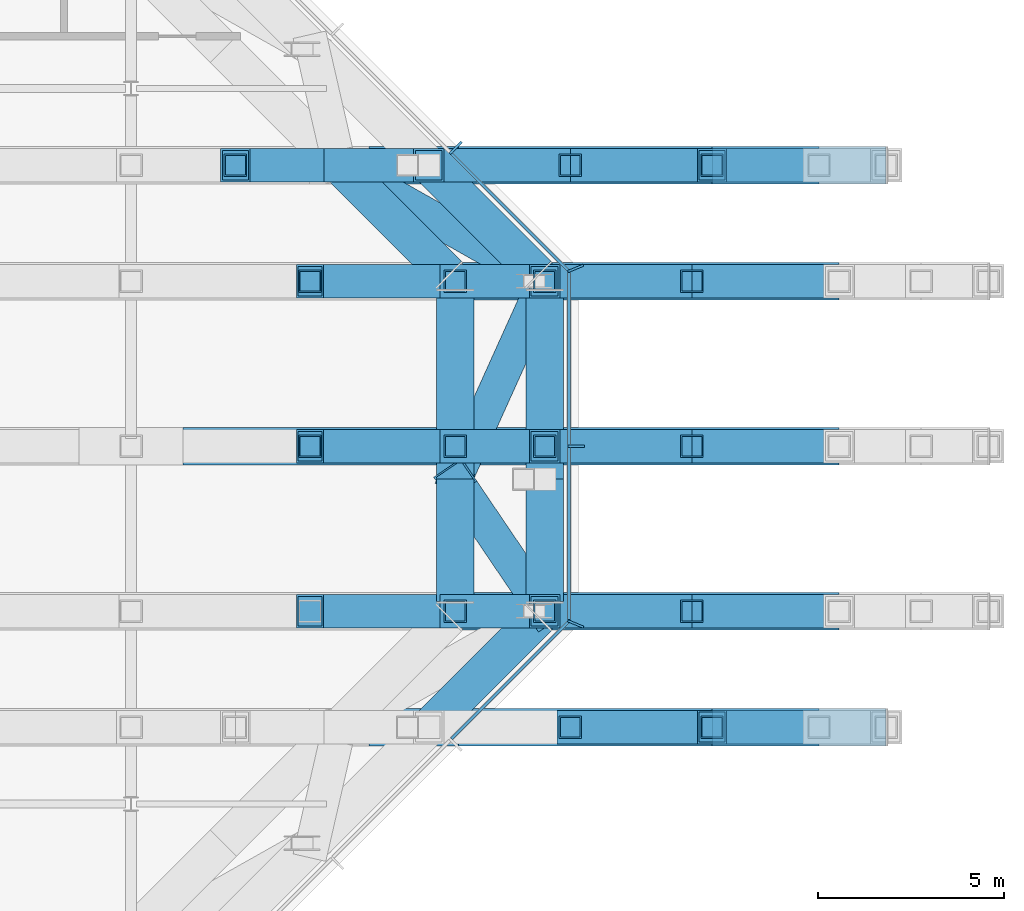
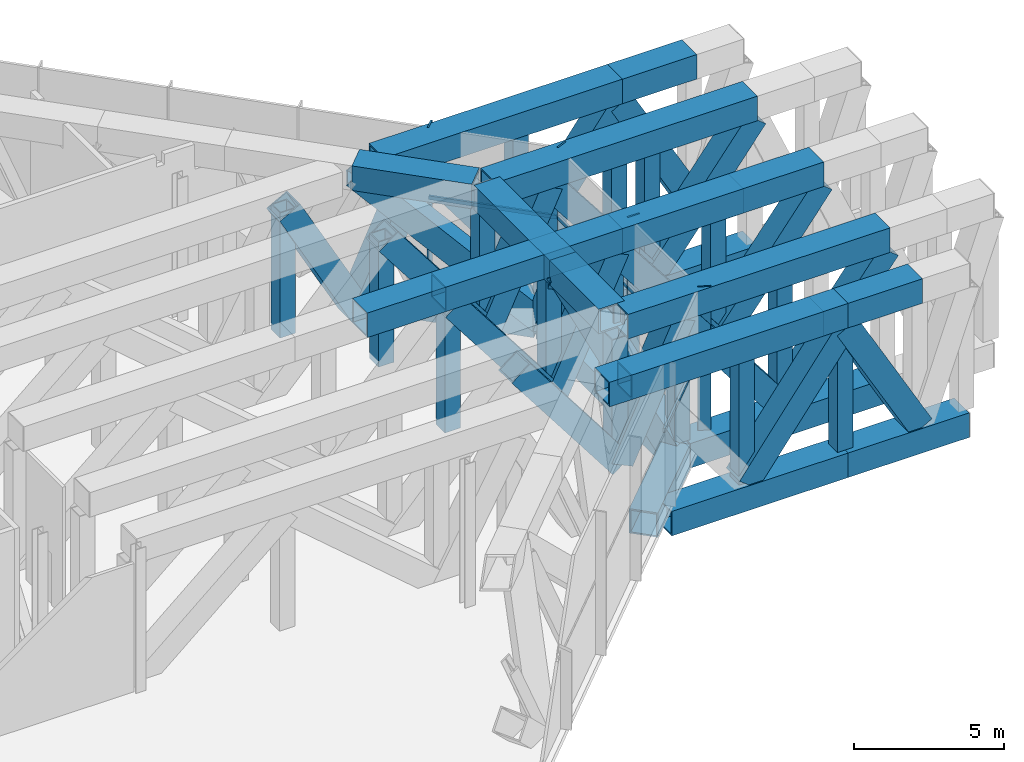
# One storey, part 7 of 18: 58 members, 10 beams, 3 elements without a shape of their own.
"""IFC4 building model written with IfcOpenShell, lengths in metres."""

from ifc_helpers import new_model, si_unit, direction, frame, origin, origin_2d, place, context, subcontext, project, spatial, rectangle, hollow_rectangle, extrude, material, material_profile, profile_set, type_object, element, aggregate, save


model = new_model("IFC4")

# Units and contexts
model_context = context("Model", 3, precision=1e-05, world=origin(), true_north=direction((0.0, 1.0)))
body_context = subcontext(model_context, "Body", "Model", "MODEL_VIEW")
ifc_project = project(units=[si_unit("LENGTHUNIT", "METRE"), si_unit("AREAUNIT", "SQUARE_METRE"), si_unit("VOLUMEUNIT", "CUBIC_METRE"), si_unit("PLANEANGLEUNIT", "RADIAN"), si_unit("MASSUNIT", "GRAM", prefix="KILO")], contexts=[model_context])

# Site, building, storey
site_placement = place(None, origin())
site = spatial("IfcSite", under=ifc_project, at=site_placement, CompositionType="ELEMENT")
building_placement = place(site_placement, origin())
building = spatial("IfcBuilding", under=site, at=building_placement, Name="Cairn Pilgrim Tower", CompositionType="ELEMENT")
storey_placement = place(building_placement, frame((0.0, 0.0, 261.0)))
storey = spatial("IfcBuildingStorey", under=building, at=storey_placement, Name="L67", CompositionType="ELEMENT", Elevation=261.0)

# Members
ifc_material_1 = material(Name="Structural steel S460M", Category="steel")
ifc_material_profile_1 = material_profile(ifc_material_1, hollow_rectangle(XDim=1.0, YDim=1.0, WallThickness=0.06005859375, at=origin_2d()), Name="BOX 1000x1000x60")
ifc_profile_set_1 = profile_set([ifc_material_profile_1], Name="Structural steel S460M")
member_type_1 = type_object("IfcMemberType", Name="BOX 1000x1000x60 CANTILEVER CHORD", PredefinedType="CHORD", material=ifc_profile_set_1)
member_1_placement = place(storey_placement, frame((39.98779296875, -7.539306640625, -0.75), z_axis=(1.0, 0.0, 0.0), x_axis=(0.0, 1.0, 0.0)))
element("IfcMember", 1, at=member_1_placement, inside=storey, type_object=member_type_1, Name="SPS75-BC2", PredefinedType="CHORD", context=body_context, shape_type="SweptSolid", body=[
    extrude(hollow_rectangle(XDim=1.0, YDim=1.0, WallThickness=0.06005859375, at=origin_2d()), origin(), (0.0, 0.0, 1.0), 6.800048828125),
])
member_2_placement = place(storey_placement, frame((46.787841796875, -7.539306640625, -0.75), z_axis=(1.0, 0.0, 0.0), x_axis=(0.0, 1.0, 0.0)))
element("IfcMember", 2, at=member_2_placement, inside=storey, type_object=member_type_1, Name="SPS75-BC3", PredefinedType="CHORD", context=body_context, shape_type="SweptSolid", body=[
    extrude(hollow_rectangle(XDim=1.0, YDim=1.0, WallThickness=0.06005859375, at=origin_2d()), origin(), (0.0, 0.0, 1.0), 4.6728515625),
])
member_3_placement = place(storey_placement, frame((37.587890625, -7.539306640625, 5.35009765625), z_axis=(1.0, 0.0, 0.0), x_axis=(0.0, 1.0, 0.0)))
element("IfcMember", 3, at=member_3_placement, inside=storey, type_object=member_type_1, Name="SPS75-TC2", PredefinedType="CHORD", context=body_context, shape_type="SweptSolid", body=[
    extrude(hollow_rectangle(XDim=1.0, YDim=1.0, WallThickness=0.06005859375, at=origin_2d()), origin(), (0.0, 0.0, 1.0), 9.199951171875),
])
member_4_placement = place(storey_placement, frame((46.787841796875, -7.539306640625, 5.35009765625), z_axis=(1.0, 0.0, 0.0), x_axis=(0.0, 1.0, 0.0)))
element("IfcMember", 4, at=member_4_placement, inside=storey, type_object=member_type_1, Name="SPS75-TC3", PredefinedType="CHORD", context=body_context, shape_type="SweptSolid", body=[
    extrude(hollow_rectangle(XDim=1.0, YDim=1.0, WallThickness=0.06005859375, at=origin_2d()), origin(), (0.0, 0.0, 1.0), 2.872802734375),
])
member_5_placement = place(storey_placement, frame((42.5, -4.42724609375, -0.75), z_axis=(1.0, 0.0, 0.0), x_axis=(0.0, 1.0, 0.0)))
element("IfcMember", 5, at=member_5_placement, inside=storey, type_object=member_type_1, Name="SPS-BC2", PredefinedType="CHORD", context=body_context, shape_type="SweptSolid", body=[
    extrude(hollow_rectangle(XDim=1.0, YDim=1.0, WallThickness=0.06005859375, at=origin_2d()), origin(), (0.0, 0.0, 1.0), 7.699951171875),
])
member_6_placement = place(storey_placement, frame((40.10009765625, -4.42724609375, 5.35009765625), z_axis=(1.0, 0.0, 0.0), x_axis=(0.0, 1.0, 0.0)))
element("IfcMember", 6, at=member_6_placement, inside=storey, type_object=member_type_1, Name="SPS-TC2", PredefinedType="CHORD", context=body_context, shape_type="SweptSolid", body=[
    extrude(hollow_rectangle(XDim=1.0, YDim=1.0, WallThickness=0.06005859375, at=origin_2d()), origin(), (0.0, 0.0, 1.0), 10.099853515625),
])
member_7_placement = place(storey_placement, frame((42.800048828125, 0.0, -0.75), z_axis=(1.0, 0.0, 0.0), x_axis=(0.0, 1.0, 0.0)))
element("IfcMember", 7, at=member_7_placement, inside=storey, type_object=member_type_1, Name="SPC-BC2", PredefinedType="CHORD", context=body_context, shape_type="SweptSolid", body=[
    extrude(hollow_rectangle(XDim=1.0, YDim=1.0, WallThickness=0.06005859375, at=origin_2d()), origin(), (0.0, 0.0, 1.0), 7.39990234375),
])
member_8_placement = place(storey_placement, frame((32.60009765625, 0.0, 5.35009765625), z_axis=(1.0, 0.0, 0.0), x_axis=(0.0, 1.0, 0.0)))
element("IfcMember", 8, at=member_8_placement, inside=storey, type_object=member_type_1, Name="SPC-TC3", PredefinedType="CHORD", context=body_context, shape_type="SweptSolid", body=[
    extrude(hollow_rectangle(XDim=1.0, YDim=1.0, WallThickness=0.06005859375, at=origin_2d()), origin(), (0.0, 0.0, 1.0), 6.7998046875),
])
member_9_placement = place(storey_placement, frame((40.39990234375, 0.0, 5.35009765625), z_axis=(1.0, 0.0, 0.0), x_axis=(0.0, 1.0, 0.0)))
element("IfcMember", 9, at=member_9_placement, inside=storey, type_object=member_type_1, Name="SPC-TC4", PredefinedType="CHORD", context=body_context, shape_type="SweptSolid", body=[
    extrude(hollow_rectangle(XDim=1.0, YDim=1.0, WallThickness=0.06005859375, at=origin_2d()), origin(), (0.0, 0.0, 1.0), 9.800048828125),
])
member_10_placement = place(storey_placement, frame((42.5, 4.42724609375, -0.75), z_axis=(1.0, 0.0, 0.0), x_axis=(0.0, 1.0, 0.0)))
element("IfcMember", 10, at=member_10_placement, inside=storey, type_object=member_type_1, Name="SPN-BC2", PredefinedType="CHORD", context=body_context, shape_type="SweptSolid", body=[
    extrude(hollow_rectangle(XDim=1.0, YDim=1.0, WallThickness=0.06005859375, at=origin_2d()), origin(), (0.0, 0.0, 1.0), 7.699951171875),
])
member_11_placement = place(storey_placement, frame((40.10009765625, 4.42724609375, 5.35009765625), z_axis=(1.0, 0.0, 0.0), x_axis=(0.0, 1.0, 0.0)))
element("IfcMember", 11, at=member_11_placement, inside=storey, type_object=member_type_1, Name="SPN-TC2", PredefinedType="CHORD", context=body_context, shape_type="SweptSolid", body=[
    extrude(hollow_rectangle(XDim=1.0, YDim=1.0, WallThickness=0.06005859375, at=origin_2d()), origin(), (0.0, 0.0, 1.0), 10.099853515625),
])
member_12_placement = place(storey_placement, frame((39.98779296875, 7.539306640625, -0.75), z_axis=(1.0, 0.0, 0.0), x_axis=(0.0, 1.0, 0.0)))
element("IfcMember", 12, at=member_12_placement, inside=storey, type_object=member_type_1, Name="SPN75-BC2", PredefinedType="CHORD", context=body_context, shape_type="SweptSolid", body=[
    extrude(hollow_rectangle(XDim=1.0, YDim=1.0, WallThickness=0.06005859375, at=origin_2d()), origin(), (0.0, 0.0, 1.0), 6.800048828125),
])
member_13_placement = place(storey_placement, frame((46.787841796875, 7.539306640625, -0.75), z_axis=(1.0, 0.0, 0.0), x_axis=(0.0, 1.0, 0.0)))
element("IfcMember", 13, at=member_13_placement, inside=storey, type_object=member_type_1, Name="SPN75-BC3", PredefinedType="CHORD", context=body_context, shape_type="SweptSolid", body=[
    extrude(hollow_rectangle(XDim=1.0, YDim=1.0, WallThickness=0.06005859375, at=origin_2d()), origin(), (0.0, 0.0, 1.0), 4.6728515625),
])
member_14_placement = place(storey_placement, frame((37.587890625, 7.539306640625, 5.35009765625), z_axis=(1.0, 0.0, 0.0), x_axis=(0.0, 1.0, 0.0)))
element("IfcMember", 14, at=member_14_placement, inside=storey, type_object=member_type_1, Name="SPN75-TC2", PredefinedType="CHORD", context=body_context, shape_type="SweptSolid", body=[
    extrude(hollow_rectangle(XDim=1.0, YDim=1.0, WallThickness=0.06005859375, at=origin_2d()), origin(), (0.0, 0.0, 1.0), 9.199951171875),
])
member_15_placement = place(storey_placement, frame((46.787841796875, 7.539306640625, 5.35009765625), z_axis=(1.0, 0.0, 0.0), x_axis=(0.0, 1.0, 0.0)))
element("IfcMember", 15, at=member_15_placement, inside=storey, type_object=member_type_1, Name="SPN75-TC3", PredefinedType="CHORD", context=body_context, shape_type="SweptSolid", body=[
    extrude(hollow_rectangle(XDim=1.0, YDim=1.0, WallThickness=0.06005859375, at=origin_2d()), origin(), (0.0, 0.0, 1.0), 2.872802734375),
])

# Beams
ifc_material_profile_2 = material_profile(ifc_material_1, hollow_rectangle(XDim=1.0, YDim=1.0, WallThickness=0.06005859375, at=origin_2d()), Name="BOX 1000x1000x60")
ifc_profile_set_2 = profile_set([ifc_material_profile_2], Name="Structural steel S460M")
beam_type_1 = type_object("IfcBeamType", Name="BOX 1000x1000x60 CHORD", PredefinedType="USERDEFINED", material=ifc_profile_set_2)
beam_1_placement = place(storey_placement, frame((39.18798828125, -7.539306640625, -0.75), z_axis=(0.707077323927, 0.707136237219, 0.0), x_axis=(-0.707136237219, 0.707077323927, 0.0)))
element("IfcBeam", 16, at=beam_1_placement, inside=storey, type_object=beam_type_1, Name="BT67-SE-BC6", ObjectType="CHORD", PredefinedType="USERDEFINED", context=body_context, shape_type="SweptSolid", body=[
    extrude(hollow_rectangle(XDim=1.0, YDim=1.0, WallThickness=0.06005859375, at=origin_2d()), origin(), (0.0, 0.0, 1.0), 4.14404296875),
])
for number, where, z_axis, x_axis, name in (
    (17, (42.300048828125, -4.170166015625, -0.75), (0.0, 1.0, 0.0), (-1.0, 0.0, 0.0), "BT67-E-BC1"),
    (18, (39.89990234375, -4.170166015625, 5.35009765625), (0.0, 1.0, 0.0), (-1.0, 0.0, 0.0), "BT67-E-TC1"),
):
    element("IfcBeam", number, at=place(storey_placement, frame(where, z_axis=z_axis, x_axis=x_axis)), inside=storey, type_object=beam_type_1, Name=name, ObjectType="CHORD", PredefinedType="USERDEFINED", context=body_context, shape_type="SweptSolid", body=[
        extrude(hollow_rectangle(XDim=1.0, YDim=1.0, WallThickness=0.06005859375, at=origin_2d()), origin(), (0.0, 0.0, 1.0), 3.28466796875),
    ])
for number, where, z_axis, x_axis, name in (
    (19, (42.300048828125, -0.885498046875, -0.75), (0.0, 1.0, 0.0), (-1.0, 0.0, 0.0), "BT67-E-BC2"),
    (20, (39.89990234375, -0.885498046875, 5.35009765625), (0.0, 1.0, 0.0), (-1.0, 0.0, 0.0), "BT67-E-TC2"),
):
    element("IfcBeam", number, at=place(storey_placement, frame(where, z_axis=z_axis, x_axis=x_axis)), inside=storey, type_object=beam_type_1, Name=name, ObjectType="CHORD", PredefinedType="USERDEFINED", context=body_context, shape_type="SweptSolid", body=[
        extrude(hollow_rectangle(XDim=1.0, YDim=1.0, WallThickness=0.06005859375, at=origin_2d()), origin(), (0.0, 0.0, 1.0), 5.0556640625),
    ])
beam_2_placement = place(storey_placement, frame((42.1181640625, 4.60888671875, -0.75), z_axis=(-0.707077323927, 0.707136237219, 0.0), x_axis=(-0.707136237219, -0.707077323927, 0.0)))
element("IfcBeam", 21, at=beam_2_placement, inside=storey, type_object=beam_type_1, Name="BT67-NE-BC1", ObjectType="CHORD", PredefinedType="USERDEFINED", context=body_context, shape_type="SweptSolid", body=[
    extrude(hollow_rectangle(XDim=1.0, YDim=1.0, WallThickness=0.06005859375, at=origin_2d()), origin(), (0.0, 0.0, 1.0), 4.14404296875),
])
beam_3_placement = place(storey_placement, frame((39.71826171875, 4.60888671875, 5.35009765625), z_axis=(-0.707106781187, 0.707106781187, 0.0), x_axis=(-0.707106781187, -0.707106781187, 0.0)))
element("IfcBeam", 22, at=beam_3_placement, inside=storey, type_object=beam_type_1, Name="BT67-NE-TC1", ObjectType="CHORD", PredefinedType="USERDEFINED", context=body_context, shape_type="SweptSolid", body=[
    extrude(hollow_rectangle(XDim=1.0, YDim=1.0, WallThickness=0.06005859375, at=origin_2d()), origin(), (0.0, 0.0, 1.0), 4.144287109375),
])

# Members
ifc_material_profile_3 = material_profile(ifc_material_1, hollow_rectangle(XDim=0.60009765625, YDim=0.60009765625, WallThickness=0.034912109375, at=origin_2d()), Name="BOX 600x600x35")
ifc_profile_set_3 = profile_set([ifc_material_profile_3], Name="Structural steel S460M")
member_type_2 = type_object("IfcMemberType", Name="BOX 600x600x35 CANTILEVER POST", PredefinedType="POST", material=ifc_profile_set_3)
for number, where, z_axis, x_axis, name in (
    (23, (42.988037109375, -7.539306640625, -0.25), (0.0, 0.0, 1.0), (1.0, 0.0, 0.0), "SPS75-P7"),
    (24, (46.7880859375, -7.539306640625, -0.25), (0.0, 0.0, 1.0), (1.0, 0.0, 0.0), "SPS75-P8"),
    (25, (39.89990234375, -4.42724609375, -0.25), (0.0, 0.0, 1.0), (1.0, 0.0, 0.0), "SPS-P5"),
    (26, (42.300048828125, -4.42724609375, -0.25), (0.0, 0.0, 1.0), (1.0, 0.0, 0.0), "SPS-P6"),
    (27, (46.25, -4.42724609375, -0.25), (0.0, 0.0, 1.0), (1.0, 0.0, 0.0), "SPS-P7"),
    (28, (36.0, 0.0, -0.25), (0.0, 0.0, 1.0), (1.0, 0.0, 0.0), "SPC-P4"),
    (29, (39.89990234375, 0.0, -0.25), (0.0, 0.0, 1.0), (1.0, 0.0, 0.0), "SPC-P5"),
    (30, (42.300048828125, 0.0, -0.25), (0.0, 0.0, 1.0), (1.0, 0.0, 0.0), "SPC-P6"),
    (31, (46.25, 0.0, -0.25), (0.0, 0.0, 1.0), (1.0, 0.0, 0.0), "SPC-P7"),
    (32, (36.0, 4.42724609375, -0.25), (0.0, 0.0, 1.0), (1.0, 0.0, 0.0), "SPN-P4"),
    (33, (39.89990234375, 4.42724609375, -0.25), (0.0, 0.0, 1.0), (1.0, 0.0, 0.0), "SPN-P5"),
    (34, (42.300048828125, 4.42724609375, -0.25), (0.0, 0.0, 1.0), (1.0, 0.0, 0.0), "SPN-P6"),
    (35, (46.25, 4.42724609375, -0.25), (0.0, 0.0, 1.0), (1.0, 0.0, 0.0), "SPN-P7"),
    (36, (34.0, 7.539306640625, -0.25), (0.0, 0.0, 1.0), (1.0, 0.0, 0.0), "SPN75-P4"),
    (37, (42.988037109375, 7.539306640625, -0.25), (0.0, 0.0, 1.0), (1.0, 0.0, 0.0), "SPN75-P7"),
    (38, (46.7880859375, 7.539306640625, -0.25), (0.0, 0.0, 1.0), (1.0, 0.0, 0.0), "SPN75-P8"),
):
    element("IfcMember", number, at=place(storey_placement, frame(where, z_axis=z_axis, x_axis=x_axis)), inside=storey, type_object=member_type_2, Name=name, PredefinedType="POST", context=body_context, shape_type="SweptSolid", body=[
        extrude(hollow_rectangle(XDim=0.60009765625, YDim=0.60009765625, WallThickness=0.034912109375, at=origin_2d()), origin(), (0.0, 0.0, 1.0), 5.10009765625),
    ])
ifc_material_profile_4 = material_profile(ifc_material_1, hollow_rectangle(XDim=0.89990234375, YDim=0.89990234375, WallThickness=0.050048828125, at=origin_2d()), Name="BOX 900x900x50")
ifc_profile_set_4 = profile_set([ifc_material_profile_4], Name="Structural steel S460M")
member_type_3 = type_object("IfcMemberType", Name="BOX 900x900x50 CANTILEVER DIAGONAL", PredefinedType="BRACE", material=ifc_profile_set_4)
member_16_placement = place(storey_placement, frame((42.988037109375, -7.539306640625, -0.25), z_axis=(0.597478902646, 0.0, 0.801884630663), x_axis=(0.0, 1.0, 0.0)))
element("IfcMember", 39, at=member_16_placement, inside=storey, type_object=member_type_3, Name="SPS75-D7", PredefinedType="BRACE", context=body_context, shape_type="SweptSolid", body=[
    extrude(hollow_rectangle(XDim=0.89990234375, YDim=0.89990234375, WallThickness=0.050048828125, at=origin_2d()), origin(), (0.0, 0.0, 1.0), 6.360107421875),
])
member_17_placement = place(storey_placement, frame((46.7880859375, -7.539306640625, 4.85009765625), z_axis=(0.490779967683, 0.0, -0.871283549323), x_axis=(0.0, 1.0, 0.0)))
element("IfcMember", 40, at=member_17_placement, inside=storey, type_object=member_type_3, Name="SPS75-D8", PredefinedType="BRACE", context=body_context, shape_type="SweptSolid", body=[
    extrude(hollow_rectangle(XDim=0.89990234375, YDim=0.89990234375, WallThickness=0.050048828125, at=origin_2d()), origin(), (0.0, 0.0, 1.0), 5.853515625),
])
member_18_placement = place(storey_placement, frame((36.0, -4.42724609375, 4.85009765625), z_axis=(0.607433169925, 0.0, -0.794370785009), x_axis=(0.0, 1.0, 0.0)))
element("IfcMember", 41, at=member_18_placement, inside=storey, type_object=member_type_3, Name="SPS-D4", PredefinedType="BRACE", context=body_context, shape_type="SweptSolid", body=[
    extrude(hollow_rectangle(XDim=0.89990234375, YDim=0.89990234375, WallThickness=0.050048828125, at=origin_2d()), origin(), (0.0, 0.0, 1.0), 6.42041015625),
])
member_19_placement = place(storey_placement, frame((39.89990234375, -4.42724609375, -0.25), z_axis=(0.425811637593, 0.0, 0.904811830874), x_axis=(0.0, 1.0, 0.0)))
element("IfcMember", 42, at=member_19_placement, inside=storey, type_object=member_type_3, Name="SPS-D5", PredefinedType="BRACE", context=body_context, shape_type="SweptSolid", body=[
    extrude(hollow_rectangle(XDim=0.89990234375, YDim=0.89990234375, WallThickness=0.050048828125, at=origin_2d()), origin(), (0.0, 0.0, 1.0), 5.63671875),
])
for number, where, z_axis, x_axis, name in (
    (43, (42.300048828125, -4.42724609375, 4.85009765625), (0.612317452324, 0.0, -0.790612001919), (0.0, 1.0, 0.0), "SPS-D6"),
    (44, (46.25, -4.42724609375, -0.25), (0.612317452324, 0.0, 0.790612001919), (0.0, 1.0, 0.0), "SPS-D7"),
):
    element("IfcMember", number, at=place(storey_placement, frame(where, z_axis=z_axis, x_axis=x_axis)), inside=storey, type_object=member_type_3, Name=name, PredefinedType="BRACE", context=body_context, shape_type="SweptSolid", body=[
        extrude(hollow_rectangle(XDim=0.89990234375, YDim=0.89990234375, WallThickness=0.050048828125, at=origin_2d()), origin(), (0.0, 0.0, 1.0), 6.450927734375),
    ])
member_20_placement = place(storey_placement, frame((36.0, 0.0, 4.85009765625), z_axis=(0.607433169925, 0.0, -0.794370785009), x_axis=(0.0, 1.0, 0.0)))
element("IfcMember", 45, at=member_20_placement, inside=storey, type_object=member_type_3, Name="SPC-D4", PredefinedType="BRACE", context=body_context, shape_type="SweptSolid", body=[
    extrude(hollow_rectangle(XDim=0.89990234375, YDim=0.89990234375, WallThickness=0.050048828125, at=origin_2d()), origin(), (0.0, 0.0, 1.0), 6.42041015625),
])
member_21_placement = place(storey_placement, frame((39.89990234375, 0.0, -0.25), z_axis=(0.425811637593, 0.0, 0.904811830874), x_axis=(0.0, 1.0, 0.0)))
element("IfcMember", 46, at=member_21_placement, inside=storey, type_object=member_type_3, Name="SPC-D5", PredefinedType="BRACE", context=body_context, shape_type="SweptSolid", body=[
    extrude(hollow_rectangle(XDim=0.89990234375, YDim=0.89990234375, WallThickness=0.050048828125, at=origin_2d()), origin(), (0.0, 0.0, 1.0), 5.63671875),
])
for number, where, z_axis, x_axis, name in (
    (47, (42.300048828125, 0.0, 4.85009765625), (0.612317452324, 0.0, -0.790612001919), (0.0, 1.0, 0.0), "SPC-D6"),
    (48, (46.25, 0.0, -0.25), (0.612317452324, 0.0, 0.790612001919), (0.0, 1.0, 0.0), "SPC-D7"),
):
    element("IfcMember", number, at=place(storey_placement, frame(where, z_axis=z_axis, x_axis=x_axis)), inside=storey, type_object=member_type_3, Name=name, PredefinedType="BRACE", context=body_context, shape_type="SweptSolid", body=[
        extrude(hollow_rectangle(XDim=0.89990234375, YDim=0.89990234375, WallThickness=0.050048828125, at=origin_2d()), origin(), (0.0, 0.0, 1.0), 6.450927734375),
    ])
member_22_placement = place(storey_placement, frame((36.0, 4.42724609375, 4.85009765625), z_axis=(0.607433169925, 0.0, -0.794370785009), x_axis=(0.0, 1.0, 0.0)))
element("IfcMember", 49, at=member_22_placement, inside=storey, type_object=member_type_3, Name="SPN-D4", PredefinedType="BRACE", context=body_context, shape_type="SweptSolid", body=[
    extrude(hollow_rectangle(XDim=0.89990234375, YDim=0.89990234375, WallThickness=0.050048828125, at=origin_2d()), origin(), (0.0, 0.0, 1.0), 6.42041015625),
])
member_23_placement = place(storey_placement, frame((39.89990234375, 4.42724609375, -0.25), z_axis=(0.425811637593, 0.0, 0.904811830874), x_axis=(0.0, 1.0, 0.0)))
element("IfcMember", 50, at=member_23_placement, inside=storey, type_object=member_type_3, Name="SPN-D5", PredefinedType="BRACE", context=body_context, shape_type="SweptSolid", body=[
    extrude(hollow_rectangle(XDim=0.89990234375, YDim=0.89990234375, WallThickness=0.050048828125, at=origin_2d()), origin(), (0.0, 0.0, 1.0), 5.63671875),
])
for number, where, z_axis, x_axis, name in (
    (51, (42.300048828125, 4.42724609375, 4.85009765625), (0.612317452324, 0.0, -0.790612001919), (0.0, 1.0, 0.0), "SPN-D6"),
    (52, (46.25, 4.42724609375, -0.25), (0.612317452324, 0.0, 0.790612001919), (0.0, 1.0, 0.0), "SPN-D7"),
):
    element("IfcMember", number, at=place(storey_placement, frame(where, z_axis=z_axis, x_axis=x_axis)), inside=storey, type_object=member_type_3, Name=name, PredefinedType="BRACE", context=body_context, shape_type="SweptSolid", body=[
        extrude(hollow_rectangle(XDim=0.89990234375, YDim=0.89990234375, WallThickness=0.050048828125, at=origin_2d()), origin(), (0.0, 0.0, 1.0), 6.450927734375),
    ])
member_24_placement = place(storey_placement, frame((34.0, 7.539306640625, 4.85009765625), z_axis=(0.47964359085, 0.0, -0.877463404226), x_axis=(0.0, 1.0, 0.0)))
element("IfcMember", 53, at=member_24_placement, inside=storey, type_object=member_type_3, Name="SPN75-D4", PredefinedType="BRACE", context=body_context, shape_type="SweptSolid", body=[
    extrude(hollow_rectangle(XDim=0.89990234375, YDim=0.89990234375, WallThickness=0.050048828125, at=origin_2d()), origin(), (0.0, 0.0, 1.0), 5.812255859375),
])
member_25_placement = place(storey_placement, frame((36.787841796875, 7.539306640625, -0.25), z_axis=(0.425811637593, 0.0, 0.904811830874), x_axis=(0.0, 1.0, 0.0)))
element("IfcMember", 54, at=member_25_placement, inside=storey, type_object=member_type_3, Name="SPN75-D5", PredefinedType="BRACE", context=body_context, shape_type="SweptSolid", body=[
    extrude(hollow_rectangle(XDim=0.89990234375, YDim=0.89990234375, WallThickness=0.050048828125, at=origin_2d()), origin(), (0.0, 0.0, 1.0), 5.63671875),
])
for number, where, z_axis, x_axis, name in (
    (55, (39.18798828125, 7.539306640625, 4.85009765625), (0.597478902646, 0.0, -0.801884630663), (0.0, 1.0, 0.0), "SPN75-D6"),
    (56, (42.988037109375, 7.539306640625, -0.25), (0.597478902646, 0.0, 0.801884630663), (0.0, 1.0, 0.0), "SPN75-D7"),
):
    element("IfcMember", number, at=place(storey_placement, frame(where, z_axis=z_axis, x_axis=x_axis)), inside=storey, type_object=member_type_3, Name=name, PredefinedType="BRACE", context=body_context, shape_type="SweptSolid", body=[
        extrude(hollow_rectangle(XDim=0.89990234375, YDim=0.89990234375, WallThickness=0.050048828125, at=origin_2d()), origin(), (0.0, 0.0, 1.0), 6.360107421875),
    ])
member_26_placement = place(storey_placement, frame((46.7880859375, 7.539306640625, 4.85009765625), z_axis=(0.490779967683, 0.0, -0.871283549323), x_axis=(0.0, 1.0, 0.0)))
element("IfcMember", 57, at=member_26_placement, inside=storey, type_object=member_type_3, Name="SPN75-D8", PredefinedType="BRACE", context=body_context, shape_type="SweptSolid", body=[
    extrude(hollow_rectangle(XDim=0.89990234375, YDim=0.89990234375, WallThickness=0.050048828125, at=origin_2d()), origin(), (0.0, 0.0, 1.0), 5.853515625),
])

# Beams
ifc_material_profile_5 = material_profile(ifc_material_1, hollow_rectangle(XDim=0.89990234375, YDim=0.89990234375, WallThickness=0.050048828125, at=origin_2d()), Name="BOX 900x900x50")
ifc_profile_set_5 = profile_set([ifc_material_profile_5], Name="Structural steel S460M")
beam_type_2 = type_object("IfcBeamType", Name="BOX 900x900x50 DIAGONAL", PredefinedType="USERDEFINED", material=ifc_profile_set_5)
beam_4_placement = place(storey_placement, frame((42.300048828125, -4.42724609375, -0.75), z_axis=(-0.322128505903, 0.475345156661, 0.818706423405), x_axis=(-0.827821238485, -0.56099197598, 0.0)))
element("IfcBeam", 58, at=beam_4_placement, inside=storey, type_object=beam_type_2, Name="BT67-E-D1", ObjectType="DIAGONAL", PredefinedType="USERDEFINED", context=body_context, shape_type="SweptSolid", body=[
    extrude(hollow_rectangle(XDim=0.89990234375, YDim=0.89990234375, WallThickness=0.050048828125, at=origin_2d()), origin(), (0.0, 0.0, 1.0), 7.450927734375),
])
beam_5_placement = place(storey_placement, frame((39.89990234375, -0.885498046875, 5.35009765625), z_axis=(0.284450341262, 0.629633188506, -0.722945399936), x_axis=(-0.911316370594, 0.411706779988, 0.0)))
element("IfcBeam", 59, at=beam_5_placement, inside=storey, type_object=beam_type_2, Name="BT67-E-D2", ObjectType="DIAGONAL", PredefinedType="USERDEFINED", context=body_context, shape_type="SweptSolid", body=[
    extrude(hollow_rectangle(XDim=0.89990234375, YDim=0.89990234375, WallThickness=0.050048828125, at=origin_2d()), origin(), (0.0, 0.0, 1.0), 8.437744140625),
])
beam_6_placement = place(storey_placement, frame((42.300048828125, 4.42724609375, -0.75), z_axis=(-0.627033076163, 0.354007911323, 0.693907717292), x_axis=(-0.491633993745, -0.870801938557, 0.0)))
element("IfcBeam", 60, at=beam_6_placement, inside=storey, type_object=beam_type_2, Name="BT67-NE-D1", ObjectType="DIAGONAL", PredefinedType="USERDEFINED", context=body_context, shape_type="SweptSolid", body=[
    extrude(hollow_rectangle(XDim=0.89990234375, YDim=0.89990234375, WallThickness=0.050048828125, at=origin_2d()), origin(), (0.0, 0.0, 1.0), 8.791015625),
])

# Curtain wall, members
ifc_material_2 = material(Name="Aluminium alloy 6063-T6 bronze anodised with Bronze tinted laminated low-E glass 8+16+8.8", Category="aluminium")
curtain_wall_type = type_object("IfcCurtainWallType", Name="PLANT LOUVRE CURTAIN WALL", PredefinedType="NOTDEFINED", material=ifc_material_2)
curtain_wall_1_placement = place(storey_placement, origin())
curtain_wall_1 = element("IfcCurtainWall", 61, at=curtain_wall_1_placement, inside=storey, type_object=curtain_wall_type, Name="Plant Louvre Curtain Wall E", PredefinedType="NOTDEFINED")
ifc_material_3 = material(Name="Aluminium alloy 6063-T6 bronze anodised", Category="aluminium")
ifc_material_profile_6 = material_profile(ifc_material_3, rectangle(XDim=0.449951171875, YDim=0.06005859375, at=origin_2d()), Name="FIN MULLION 60x450 BRONZE")
ifc_profile_set_6 = profile_set([ifc_material_profile_6], Name="Aluminium alloy 6063-T6 bronze anodised")
member_type_4 = type_object("IfcMemberType", Name="FIN MULLION 60x450 BRONZE", PredefinedType="MULLION", material=ifc_profile_set_6)
member_27_placement = place(storey_placement, frame((43.130126953125, -4.77099609375, 0.0), z_axis=(0.0, 0.0, 1.0), x_axis=(0.923879532511, -0.382683432365, 0.0)))
member_27 = element("IfcMember", 62, at=member_27_placement, type_object=member_type_4, Name="Fin mullion E1", PredefinedType="MULLION", context=body_context, shape_type="SweptSolid", body=[
    extrude(rectangle(XDim=0.449951171875, YDim=0.06005859375, at=origin_2d()), origin(), (0.0, 0.0, 1.0), 5.85009765625),
])
member_28_placement = place(storey_placement, frame((43.14501953125, 0.0, 0.0), z_axis=(0.0, 0.0, 1.0), x_axis=(1.0, 0.0, 0.0)))
member_28 = element("IfcMember", 63, at=member_28_placement, type_object=member_type_4, Name="Fin mullion E2", PredefinedType="MULLION", context=body_context, shape_type="SweptSolid", body=[
    extrude(rectangle(XDim=0.449951171875, YDim=0.06005859375, at=origin_2d()), origin(), (0.0, 0.0, 1.0), 5.85009765625),
])

curtain_wall_2_placement = place(storey_placement, origin())
curtain_wall_2 = element("IfcCurtainWall", 64, at=curtain_wall_2_placement, inside=storey, type_object=curtain_wall_type, Name="Plant Louvre Curtain Wall NE", PredefinedType="NOTDEFINED")
member_29_placement = place(storey_placement, frame((43.130126953125, 4.77099609375, 0.0), z_axis=(0.0, 0.0, 1.0), x_axis=(0.923879532511, 0.382683432365, 0.0)))
member_29 = element("IfcMember", 65, at=member_29_placement, type_object=member_type_4, Name="Fin mullion NE1", PredefinedType="MULLION", context=body_context, shape_type="SweptSolid", body=[
    extrude(rectangle(XDim=0.449951171875, YDim=0.06005859375, at=origin_2d()), origin(), (0.0, 0.0, 1.0), 5.85009765625),
])
member_30_placement = place(storey_placement, frame((39.912353515625, 8.010009765625, 0.0), z_axis=(0.0, 0.0, 1.0), x_axis=(0.707106781187, 0.707106781187, 0.0)))
member_30 = element("IfcMember", 66, at=member_30_placement, type_object=member_type_4, Name="Fin mullion NE2", PredefinedType="MULLION", context=body_context, shape_type="SweptSolid", body=[
    extrude(rectangle(XDim=0.449951171875, YDim=0.06005859375, at=origin_2d()), origin(), (0.0, 0.0, 1.0), 5.85009765625),
])

# Curtain wall, member
curtain_wall_3_placement = place(storey_placement, origin())
curtain_wall_3 = element("IfcCurtainWall", 67, at=curtain_wall_3_placement, inside=storey, type_object=curtain_wall_type, Name="Plant Louvre Curtain Wall SE", PredefinedType="NOTDEFINED")
ifc_material_profile_7 = material_profile(ifc_material_3, rectangle(XDim=0.080078125, YDim=0.14990234375, at=origin_2d()), Name="TRANSOM 80x150 BRONZE")
ifc_profile_set_7 = profile_set([ifc_material_profile_7], Name="Aluminium alloy 6063-T6 bronze anodised")
member_type_5 = type_object("IfcMemberType", Name="TRANSOM 80x150 BRONZE", PredefinedType="USERDEFINED", material=ifc_profile_set_7)
member_31_placement = place(storey_placement, frame((39.795654296875, -7.850830078125, 3.0), z_axis=(0.707079168996, 0.707134392299, 0.0), x_axis=(-0.707134392299, 0.707079168996, 0.0)))
member_31 = element("IfcMember", 68, at=member_31_placement, type_object=member_type_5, Name="Transom SE6", ObjectType="TRANSOM", PredefinedType="USERDEFINED", context=body_context, shape_type="SweptSolid", body=[
    extrude(rectangle(XDim=0.080078125, YDim=0.14990234375, at=origin_2d()), origin(), (0.0, 0.0, 1.0), 4.4208984375),
])
aggregate(curtain_wall_3, [member_31])

# Member
member_32_placement = place(storey_placement, frame((42.949951171875, -4.656494140625, 3.0), z_axis=(0.0, 1.0, 0.0), x_axis=(-1.0, 0.0, 0.0)))
member_32 = element("IfcMember", 69, at=member_32_placement, type_object=member_type_5, Name="Transom E1", ObjectType="TRANSOM", PredefinedType="USERDEFINED", context=body_context, shape_type="SweptSolid", body=[
    extrude(rectangle(XDim=0.080078125, YDim=0.14990234375, at=origin_2d()), origin(), (0.0, 0.0, 1.0), 4.62646484375),
])

member_33_placement = place(storey_placement, frame((42.949951171875, 0.030029296875, 3.0), z_axis=(0.0, 1.0, 0.0), x_axis=(-1.0, 0.0, 0.0)))
member_33 = element("IfcMember", 70, at=member_33_placement, type_object=member_type_5, Name="Transom E2", ObjectType="TRANSOM", PredefinedType="USERDEFINED", context=body_context, shape_type="SweptSolid", body=[
    extrude(rectangle(XDim=0.080078125, YDim=0.14990234375, at=origin_2d()), origin(), (0.0, 0.0, 1.0), 4.62646484375),
])

aggregate(curtain_wall_1, [member_27, member_28, member_32, member_33])

member_34_placement = place(storey_placement, frame((42.921630859375, 4.724609375, 3.0), z_axis=(-0.707079168996, 0.707134392299, 0.0), x_axis=(-0.707134392299, -0.707079168996, 0.0)))
member_34 = element("IfcMember", 71, at=member_34_placement, type_object=member_type_5, Name="Transom NE1", ObjectType="TRANSOM", PredefinedType="USERDEFINED", context=body_context, shape_type="SweptSolid", body=[
    extrude(rectangle(XDim=0.080078125, YDim=0.14990234375, at=origin_2d()), origin(), (0.0, 0.0, 1.0), 4.4208984375),
])

aggregate(curtain_wall_2, [member_29, member_30, member_34])

save(model, "model.ifc")
